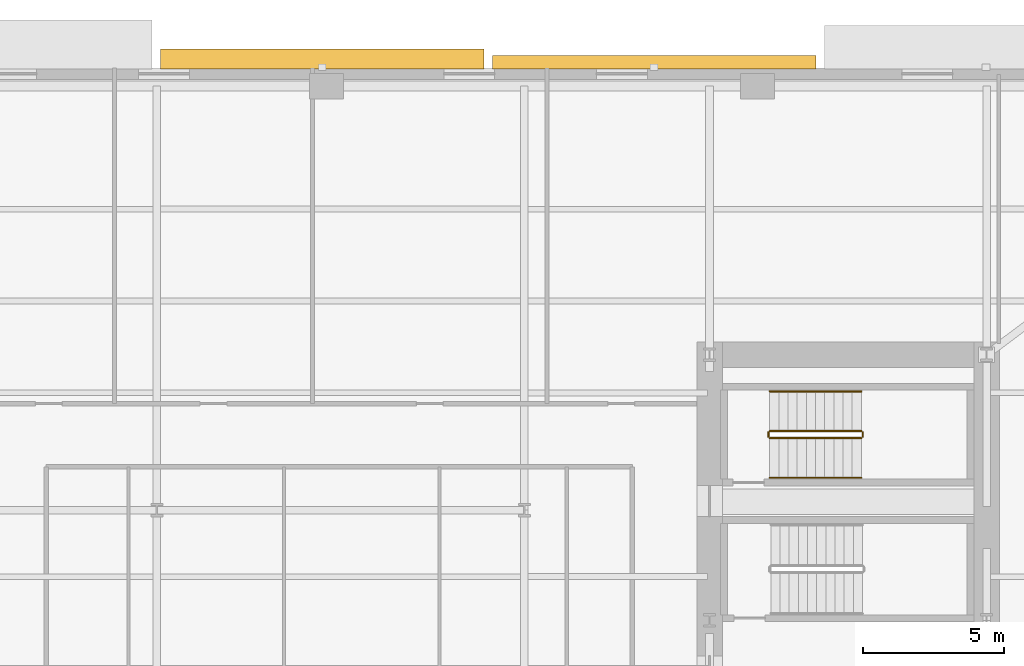
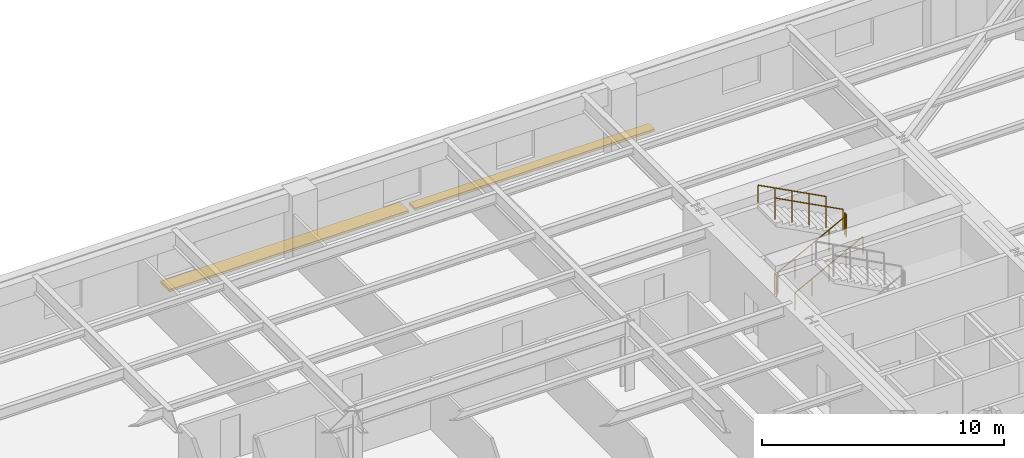
# One storey, part 13 of 14: 6 railings, 2 shading devices.
"""IFC4 building model written with IfcOpenShell, lengths in metres."""

from ifc_helpers import new_model, si_unit, direction, frame, origin, origin_2d, place, context, subcontext, project, spatial, rectangle, circle, extrude, material, type_object, element, save


model = new_model("IFC4")

# Units and contexts
model_context = context("Model", 3, precision=1e-05, world=origin(), true_north=direction((0.0, 1.0)))
body_context = subcontext(model_context, "Body", "Model", "MODEL_VIEW")
ifc_project = project(units=[si_unit("LENGTHUNIT", "METRE"), si_unit("AREAUNIT", "SQUARE_METRE"), si_unit("VOLUMEUNIT", "CUBIC_METRE"), si_unit("PLANEANGLEUNIT", "RADIAN"), si_unit("MASSUNIT", "GRAM", prefix="KILO")], contexts=[model_context])

# Site, building, storey
site_placement = place(None, origin())
site = spatial("IfcSite", under=ifc_project, at=site_placement, CompositionType="ELEMENT")
building_placement = place(site_placement, origin())
building = spatial("IfcBuilding", under=site, at=building_placement, Name="Kolvaren Arena Tower", CompositionType="ELEMENT")
storey_placement = place(building_placement, frame((0.0, 0.0, 75.75)))
storey = spatial("IfcBuildingStorey", under=building, at=storey_placement, Name="L16", CompositionType="ELEMENT", Elevation=75.75)

# Railings
ifc_material_1 = material(Name="Painted galvanized steel", Category="steel")
railing_type_1 = type_object("IfcRailingType", Name="GUARD-ST-110", PredefinedType="GUARDRAIL", material=ifc_material_1)
railing_1_placement = place(storey_placement, frame((52.679931640625, 36.39990234375, 0.17041015625)))
element("IfcRailing", 1, at=railing_1_placement, inside=storey, type_object=railing_type_1, Name="L16 ST-E2 stair guard 1", PredefinedType="GUARDRAIL", context=body_context, shape_type="SweptSolid", body=[
    extrude(circle(Radius=0.02392578125, at=origin_2d()), frame((0.0, 0.0, 1.076171875), z_axis=(0.884993431791, 0.0, 0.465603506952), x_axis=(0.0, 1.0, 0.0)), (0.0, 0.0, 1.0), 3.6611328125),
    extrude(circle(Radius=0.02099609375, at=origin_2d()), origin(), (0.0, 0.0, 1.0), 1.052001953125),
    extrude(circle(Radius=0.02099609375, at=origin_2d()), frame((0.81005859375, 0.0, 0.42626953125)), (0.0, 0.0, 1.0), 1.052001953125),
    extrude(circle(Radius=0.02099609375, at=origin_2d()), frame((1.6201171875, 0.0, 0.852294921875)), (0.0, 0.0, 1.0), 1.052001953125),
    extrude(circle(Radius=0.02099609375, at=origin_2d()), frame((2.429931640625, 0.0, 1.2783203125)), (0.0, 0.0, 1.0), 1.052001953125),
    extrude(circle(Radius=0.02099609375, at=origin_2d()), frame((3.239990234375, 0.0, 1.70458984375)), (0.0, 0.0, 1.0), 1.052001953125),
])
railing_2_placement = place(storey_placement, frame((55.969970703125, 36.449951171875, 1.875)))
element("IfcRailing", 2, at=railing_2_placement, inside=storey, type_object=railing_type_1, Name="L16 ST-E2 stair guard 2", PredefinedType="GUARDRAIL", context=body_context, shape_type="SweptSolid", body=[
    extrude(circle(Radius=0.02392578125, at=origin_2d()), frame((0.0, 0.0, 1.076171875), z_axis=(0.0, 1.0, 0.0), x_axis=(-1.0, 0.0, 0.0)), (0.0, 0.0, 1.0), 0.150146484375),
    extrude(circle(Radius=0.02099609375, at=origin_2d()), origin(), (0.0, 0.0, 1.0), 1.052001953125),
    extrude(circle(Radius=0.02099609375, at=origin_2d()), frame((0.0, 0.150146484375, 0.0)), (0.0, 0.0, 1.0), 1.052001953125),
])
railing_3_placement = place(storey_placement, frame((55.919921875, 36.64990234375, 2.04541015625)))
element("IfcRailing", 3, at=railing_3_placement, inside=storey, type_object=railing_type_1, Name="L16 ST-E2 stair guard 3", PredefinedType="GUARDRAIL", context=body_context, shape_type="SweptSolid", body=[
    extrude(circle(Radius=0.02392578125, at=origin_2d()), frame((0.0, 0.0, 1.076171875), z_axis=(-0.884993431791, 0.0, 0.465603506952), x_axis=(0.0, -1.0, 0.0)), (0.0, 0.0, 1.0), 3.6611328125),
    extrude(circle(Radius=0.02099609375, at=origin_2d()), origin(), (0.0, 0.0, 1.0), 1.052001953125),
    extrude(circle(Radius=0.02099609375, at=origin_2d()), frame((-0.81005859375, 0.0, 0.42626953125)), (0.0, 0.0, 1.0), 1.052001953125),
    extrude(circle(Radius=0.02099609375, at=origin_2d()), frame((-1.6201171875, 0.0, 0.852294921875)), (0.0, 0.0, 1.0), 1.052001953125),
    extrude(circle(Radius=0.02099609375, at=origin_2d()), frame((-2.429931640625, 0.0, 1.2783203125)), (0.0, 0.0, 1.0), 1.052001953125),
    extrude(circle(Radius=0.02099609375, at=origin_2d()), frame((-3.239990234375, 0.0, 1.70458984375)), (0.0, 0.0, 1.0), 1.052001953125),
])
railing_4_placement = place(storey_placement, frame((52.6298828125, 36.449951171875, 0.0)))
element("IfcRailing", 4, at=railing_4_placement, inside=storey, type_object=railing_type_1, Name="L16 ST-E2 stair guard 4", PredefinedType="GUARDRAIL", context=body_context, shape_type="SweptSolid", body=[
    extrude(circle(Radius=0.02392578125, at=origin_2d()), frame((0.0, 0.0, 1.076171875), z_axis=(0.0, 1.0, 0.0), x_axis=(-1.0, 0.0, 0.0)), (0.0, 0.0, 1.0), 0.150146484375),
    extrude(circle(Radius=0.02099609375, at=origin_2d()), origin(), (0.0, 0.0, 1.0), 1.052001953125),
    extrude(circle(Radius=0.02099609375, at=origin_2d()), frame((0.0, 0.150146484375, 0.0)), (0.0, 0.0, 1.0), 1.052001953125),
])
ifc_material_2 = material(Name="Brushed stainless steel handrail", Category="steel")
railing_type_2 = type_object("IfcRailingType", Name="HRAIL-900", PredefinedType="HANDRAIL", material=ifc_material_2)
railing_5_placement = place(storey_placement, frame((52.679931640625, 35.0, 0.17041015625)))
element("IfcRailing", 5, at=railing_5_placement, inside=storey, type_object=railing_type_2, Name="L16 ST-E2 stair handrail 1", PredefinedType="HANDRAIL", context=body_context, shape_type="SweptSolid", body=[
    extrude(circle(Radius=0.02392578125, at=origin_2d()), frame((0.0, 0.0, 0.8759765625), z_axis=(0.884993431791, 0.0, 0.465603506952), x_axis=(0.0, 1.0, 0.0)), (0.0, 0.0, 1.0), 3.6611328125),
    extrude(circle(Radius=0.02099609375, at=origin_2d()), origin(), (0.0, 0.0, 1.0), 0.851806640625),
    extrude(circle(Radius=0.02099609375, at=origin_2d()), frame((0.81005859375, 0.0, 0.42626953125)), (0.0, 0.0, 1.0), 0.851806640625),
    extrude(circle(Radius=0.02099609375, at=origin_2d()), frame((1.6201171875, 0.0, 0.852294921875)), (0.0, 0.0, 1.0), 0.851806640625),
    extrude(circle(Radius=0.02099609375, at=origin_2d()), frame((2.429931640625, 0.0, 1.2783203125)), (0.0, 0.0, 1.0), 0.851806640625),
    extrude(circle(Radius=0.02099609375, at=origin_2d()), frame((3.239990234375, 0.0, 1.70458984375)), (0.0, 0.0, 1.0), 0.851806640625),
])
railing_6_placement = place(storey_placement, frame((55.919921875, 38.050048828125, 2.04541015625)))
element("IfcRailing", 6, at=railing_6_placement, inside=storey, type_object=railing_type_2, Name="L16 ST-E2 stair handrail 2", PredefinedType="HANDRAIL", context=body_context, shape_type="SweptSolid", body=[
    extrude(circle(Radius=0.02392578125, at=origin_2d()), frame((0.0, 0.0, 0.8759765625), z_axis=(-0.884993431791, 0.0, 0.465603506952), x_axis=(0.0, -1.0, 0.0)), (0.0, 0.0, 1.0), 3.6611328125),
    extrude(circle(Radius=0.02099609375, at=origin_2d()), origin(), (0.0, 0.0, 1.0), 0.851806640625),
    extrude(circle(Radius=0.02099609375, at=origin_2d()), frame((-0.81005859375, 0.0, 0.42626953125)), (0.0, 0.0, 1.0), 0.851806640625),
    extrude(circle(Radius=0.02099609375, at=origin_2d()), frame((-1.6201171875, 0.0, 0.852294921875)), (0.0, 0.0, 1.0), 0.851806640625),
    extrude(circle(Radius=0.02099609375, at=origin_2d()), frame((-2.429931640625, 0.0, 1.2783203125)), (0.0, 0.0, 1.0), 0.851806640625),
    extrude(circle(Radius=0.02099609375, at=origin_2d()), frame((-3.239990234375, 0.0, 1.70458984375)), (0.0, 0.0, 1.0), 0.851806640625),
])

# Shading devices
ifc_material_3 = material(Name="Architectural precast GFRC and anodised aluminium sunshade", Category="concrete")
shading_device_type = type_object("IfcShadingDeviceType", Name="SHAD-SINE-A", PredefinedType="USERDEFINED", material=ifc_material_3)
shading_device_1_placement = place(storey_placement, frame((36.85009765625, 49.810302734375, -0.14013671875), z_axis=(0.0, 0.0, 1.0), x_axis=(1.0, 0.0, 0.0)))
element("IfcShadingDevice", 7, at=shading_device_1_placement, inside=storey, type_object=shading_device_type, Name="Sinusoidal Slab-Edge Sunshade Louvre (L16)", ObjectType="LOUVRE", PredefinedType="USERDEFINED", context=body_context, shape_type="SweptSolid", body=[
    extrude(rectangle(XDim=11.43994140625, YDim=0.720703125, at=origin_2d()), origin(), (0.0, 0.0, 1.0), 0.1201171875),
])
shading_device_2_placement = place(storey_placement, frame((48.590087890625, 49.69091796875, -0.14013671875), z_axis=(0.0, 0.0, 1.0), x_axis=(1.0, 0.0, 0.0)))
element("IfcShadingDevice", 8, at=shading_device_2_placement, inside=storey, type_object=shading_device_type, Name="Sinusoidal Slab-Edge Sunshade Louvre (L16)", ObjectType="LOUVRE", PredefinedType="USERDEFINED", context=body_context, shape_type="SweptSolid", body=[
    extrude(rectangle(XDim=11.43994140625, YDim=0.481689453125, at=origin_2d()), origin(), (0.0, 0.0, 1.0), 0.1201171875),
])

save(model, "model.ifc")
